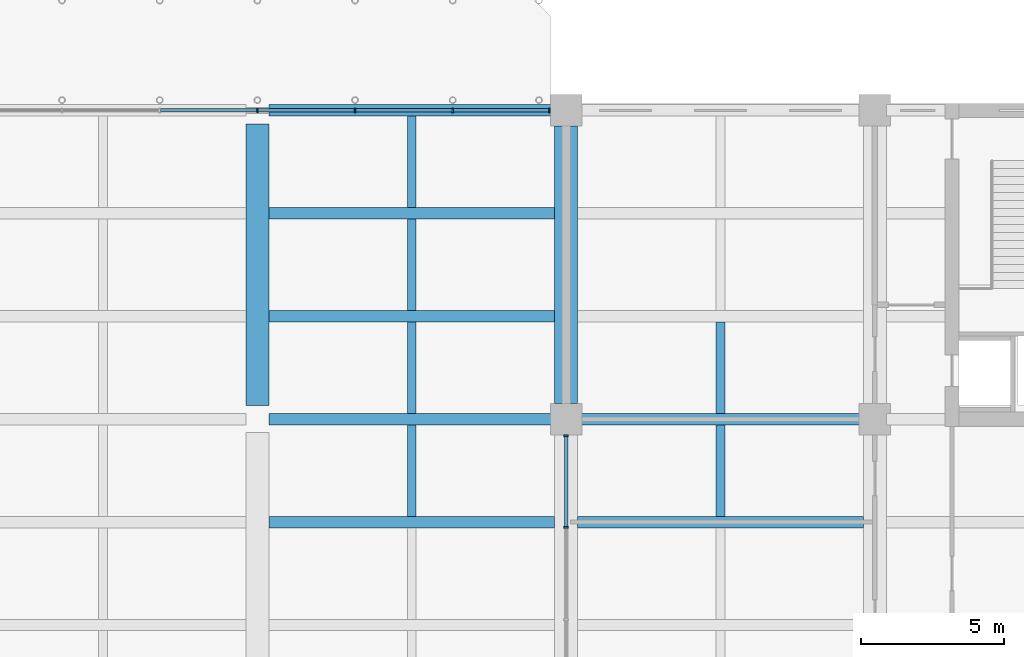
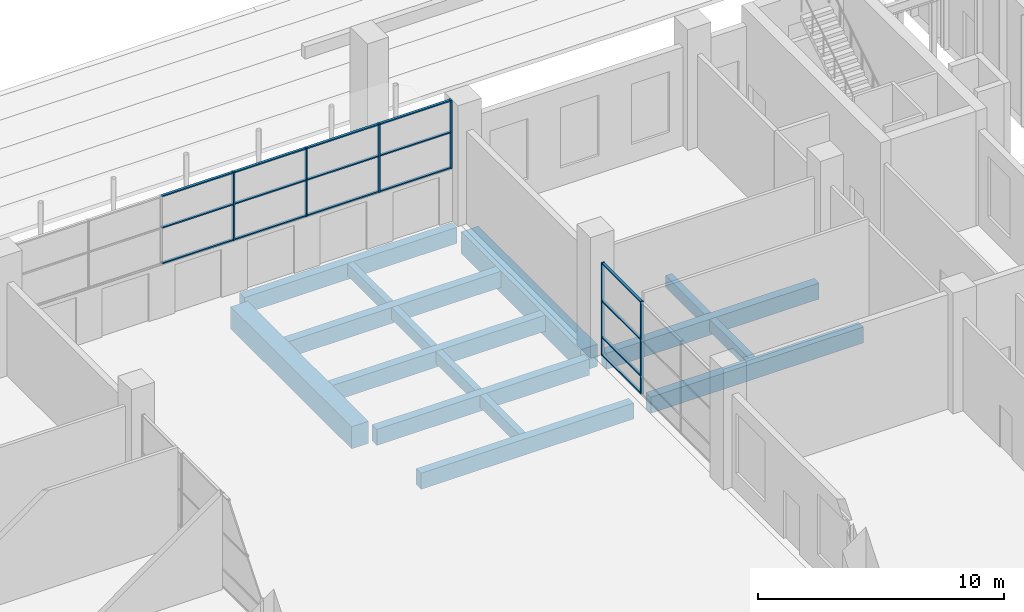
# One storey, part 36 of 71: 22 members, 15 beams, 2 elements without a shape of their own.
"""IFC4 building model written with IfcOpenShell, lengths in metres."""

from ifc_helpers import new_model, si_unit, direction, frame, origin, origin_2d, place, context, subcontext, project, spatial, rectangle, extrude, material, layer, layer_set, material_profile, profile_set, type_object, element, aggregate, save


model = new_model("IFC4")

# Units and contexts
model_context = context("Model", 3, precision=1e-05, world=origin(), true_north=direction((0.0, 1.0)))
body_context = subcontext(model_context, "Body", "Model", "MODEL_VIEW")
ifc_project = project(units=[si_unit("LENGTHUNIT", "METRE"), si_unit("AREAUNIT", "SQUARE_METRE"), si_unit("VOLUMEUNIT", "CUBIC_METRE"), si_unit("PLANEANGLEUNIT", "RADIAN"), si_unit("MASSUNIT", "GRAM", prefix="KILO")], contexts=[model_context])

# Site, building, storey
site_placement = place(None, origin())
site = spatial("IfcSite", under=ifc_project, at=site_placement, CompositionType="ELEMENT")
building_placement = place(site_placement, origin())
building = spatial("IfcBuilding", under=site, at=building_placement, Name="Basin Gate Institute", CompositionType="ELEMENT")
storey_placement = place(building_placement, origin())
storey = spatial("IfcBuildingStorey", under=building, at=storey_placement, Name="L00", CompositionType="ELEMENT", Elevation=0.0)

# Curtain wall, members
ifc_material_1 = material(Name="Aluminium and glass curtain wall", Category="aluminium")
ifc_layer_1 = layer(ifc_material_1, 0.14990234375)
ifc_layer_set_1 = layer_set([ifc_layer_1], Name="Atrium curtain wall CW81")
curtain_wall_type_1 = type_object("IfcCurtainWallType", Name="Atrium curtain wall CW81", PredefinedType="NOTDEFINED", material=ifc_layer_set_1)
curtain_wall_1_placement = place(storey_placement, origin())
curtain_wall_1 = element("IfcCurtainWall", 1, at=curtain_wall_1_placement, inside=storey, type_object=curtain_wall_type_1, material=ifc_layer_set_1, Name="Atrium end screen N L00", PredefinedType="NOTDEFINED")
ifc_material_2 = material(Name="Aluminium mullion", Category="aluminium")
ifc_material_profile_1 = material_profile(ifc_material_2, rectangle(XDim=0.159912109375, YDim=0.06005859375, at=origin_2d()), Name="Atrium mullion MU81 160 x 60")
ifc_profile_set_1 = profile_set([ifc_material_profile_1], Name="Aluminium mullion")
member_type_1 = type_object("IfcMemberType", Name="Atrium mullion MU81", PredefinedType="MULLION", material=ifc_profile_set_1)
member_1_placement = place(storey_placement, frame((90.0, 99.89990234375, 2.60009765625), z_axis=(0.0, 0.0, 1.0), x_axis=(0.0, 1.0, 0.0)))
member_1 = element("IfcMember", 2, at=member_1_placement, type_object=member_type_1, material=ifc_profile_set_1, Name="CW81 mullion 4", PredefinedType="MULLION", context=body_context, shape_type="SweptSolid", body=[
    extrude(rectangle(XDim=0.159912109375, YDim=0.06005859375, at=origin_2d()), origin(), (0.0, 0.0, 1.0), 3.39990234375),
])
member_2_placement = place(storey_placement, frame((93.416748046875, 99.89990234375, 2.60009765625), z_axis=(0.0, 0.0, 1.0), x_axis=(0.0, 1.0, 0.0)))
member_2 = element("IfcMember", 3, at=member_2_placement, type_object=member_type_1, material=ifc_profile_set_1, Name="CW81 mullion 5", PredefinedType="MULLION", context=body_context, shape_type="SweptSolid", body=[
    extrude(rectangle(XDim=0.159912109375, YDim=0.06005859375, at=origin_2d()), origin(), (0.0, 0.0, 1.0), 3.39990234375),
])
member_3_placement = place(storey_placement, frame((96.833251953125, 99.89990234375, 2.60009765625), z_axis=(0.0, 0.0, 1.0), x_axis=(0.0, 1.0, 0.0)))
member_3 = element("IfcMember", 4, at=member_3_placement, type_object=member_type_1, material=ifc_profile_set_1, Name="CW81 mullion 6", PredefinedType="MULLION", context=body_context, shape_type="SweptSolid", body=[
    extrude(rectangle(XDim=0.159912109375, YDim=0.06005859375, at=origin_2d()), origin(), (0.0, 0.0, 1.0), 3.39990234375),
])
member_4_placement = place(storey_placement, frame((100.219970703125, 99.89990234375, 2.60009765625), z_axis=(0.0, 0.0, 1.0), x_axis=(0.0, 1.0, 0.0)))
member_4 = element("IfcMember", 5, at=member_4_placement, type_object=member_type_1, material=ifc_profile_set_1, Name="CW81 mullion 7", PredefinedType="MULLION", context=body_context, shape_type="SweptSolid", body=[
    extrude(rectangle(XDim=0.159912109375, YDim=0.06005859375, at=origin_2d()), origin(), (0.0, 0.0, 1.0), 3.39990234375),
])
ifc_material_3 = material(Name="Aluminium transom", Category="aluminium")
ifc_material_profile_2 = material_profile(ifc_material_3, rectangle(XDim=0.1201171875, YDim=0.06005859375, at=origin_2d()), Name="Atrium transom TR81 120 x 60")
ifc_profile_set_2 = profile_set([ifc_material_profile_2], Name="Aluminium transom")
member_type_2 = type_object("IfcMemberType", Name="Atrium transom TR81", PredefinedType="USERDEFINED", material=ifc_profile_set_2)
member_5_placement = place(storey_placement, frame((86.61328125, 99.89990234375, 2.6298828125), z_axis=(1.0, 0.0, 0.0), x_axis=(0.0, 1.0, 0.0)))
member_5 = element("IfcMember", 6, at=member_5_placement, type_object=member_type_2, material=ifc_profile_set_2, Name="CW81 transom 3.1", ObjectType="TRANSOM", PredefinedType="USERDEFINED", context=body_context, shape_type="SweptSolid", body=[
    extrude(rectangle(XDim=0.1201171875, YDim=0.06005859375, at=origin_2d()), origin(), (0.0, 0.0, 1.0), 3.356689453125),
])
member_6_placement = place(storey_placement, frame((86.61328125, 99.89990234375, 4.39990234375), z_axis=(1.0, 0.0, 0.0), x_axis=(0.0, 1.0, 0.0)))
member_6 = element("IfcMember", 7, at=member_6_placement, type_object=member_type_2, material=ifc_profile_set_2, Name="CW81 transom 3.2", ObjectType="TRANSOM", PredefinedType="USERDEFINED", context=body_context, shape_type="SweptSolid", body=[
    extrude(rectangle(XDim=0.1201171875, YDim=0.06005859375, at=origin_2d()), origin(), (0.0, 0.0, 1.0), 3.356689453125),
])
member_7_placement = place(storey_placement, frame((86.61328125, 99.89990234375, 5.969970703125), z_axis=(1.0, 0.0, 0.0), x_axis=(0.0, 1.0, 0.0)))
member_7 = element("IfcMember", 8, at=member_7_placement, type_object=member_type_2, material=ifc_profile_set_2, Name="CW81 transom 3.3", ObjectType="TRANSOM", PredefinedType="USERDEFINED", context=body_context, shape_type="SweptSolid", body=[
    extrude(rectangle(XDim=0.1201171875, YDim=0.06005859375, at=origin_2d()), origin(), (0.0, 0.0, 1.0), 3.356689453125),
])
member_8_placement = place(storey_placement, frame((90.030029296875, 99.89990234375, 2.6298828125), z_axis=(1.0, 0.0, 0.0), x_axis=(0.0, 1.0, 0.0)))
member_8 = element("IfcMember", 9, at=member_8_placement, type_object=member_type_2, material=ifc_profile_set_2, Name="CW81 transom 4.1", ObjectType="TRANSOM", PredefinedType="USERDEFINED", context=body_context, shape_type="SweptSolid", body=[
    extrude(rectangle(XDim=0.1201171875, YDim=0.06005859375, at=origin_2d()), origin(), (0.0, 0.0, 1.0), 3.356689453125),
])
member_9_placement = place(storey_placement, frame((90.030029296875, 99.89990234375, 4.39990234375), z_axis=(1.0, 0.0, 0.0), x_axis=(0.0, 1.0, 0.0)))
member_9 = element("IfcMember", 10, at=member_9_placement, type_object=member_type_2, material=ifc_profile_set_2, Name="CW81 transom 4.2", ObjectType="TRANSOM", PredefinedType="USERDEFINED", context=body_context, shape_type="SweptSolid", body=[
    extrude(rectangle(XDim=0.1201171875, YDim=0.06005859375, at=origin_2d()), origin(), (0.0, 0.0, 1.0), 3.356689453125),
])
member_10_placement = place(storey_placement, frame((90.030029296875, 99.89990234375, 5.969970703125), z_axis=(1.0, 0.0, 0.0), x_axis=(0.0, 1.0, 0.0)))
member_10 = element("IfcMember", 11, at=member_10_placement, type_object=member_type_2, material=ifc_profile_set_2, Name="CW81 transom 4.3", ObjectType="TRANSOM", PredefinedType="USERDEFINED", context=body_context, shape_type="SweptSolid", body=[
    extrude(rectangle(XDim=0.1201171875, YDim=0.06005859375, at=origin_2d()), origin(), (0.0, 0.0, 1.0), 3.356689453125),
])
member_11_placement = place(storey_placement, frame((93.44677734375, 99.89990234375, 2.6298828125), z_axis=(1.0, 0.0, 0.0), x_axis=(0.0, 1.0, 0.0)))
member_11 = element("IfcMember", 12, at=member_11_placement, type_object=member_type_2, material=ifc_profile_set_2, Name="CW81 transom 5.1", ObjectType="TRANSOM", PredefinedType="USERDEFINED", context=body_context, shape_type="SweptSolid", body=[
    extrude(rectangle(XDim=0.1201171875, YDim=0.06005859375, at=origin_2d()), origin(), (0.0, 0.0, 1.0), 3.3564453125),
])
member_12_placement = place(storey_placement, frame((93.44677734375, 99.89990234375, 4.39990234375), z_axis=(1.0, 0.0, 0.0), x_axis=(0.0, 1.0, 0.0)))
member_12 = element("IfcMember", 13, at=member_12_placement, type_object=member_type_2, material=ifc_profile_set_2, Name="CW81 transom 5.2", ObjectType="TRANSOM", PredefinedType="USERDEFINED", context=body_context, shape_type="SweptSolid", body=[
    extrude(rectangle(XDim=0.1201171875, YDim=0.06005859375, at=origin_2d()), origin(), (0.0, 0.0, 1.0), 3.3564453125),
])
member_13_placement = place(storey_placement, frame((93.44677734375, 99.89990234375, 5.969970703125), z_axis=(1.0, 0.0, 0.0), x_axis=(0.0, 1.0, 0.0)))
member_13 = element("IfcMember", 14, at=member_13_placement, type_object=member_type_2, material=ifc_profile_set_2, Name="CW81 transom 5.3", ObjectType="TRANSOM", PredefinedType="USERDEFINED", context=body_context, shape_type="SweptSolid", body=[
    extrude(rectangle(XDim=0.1201171875, YDim=0.06005859375, at=origin_2d()), origin(), (0.0, 0.0, 1.0), 3.3564453125),
])
member_14_placement = place(storey_placement, frame((96.86328125, 99.89990234375, 2.6298828125), z_axis=(1.0, 0.0, 0.0), x_axis=(0.0, 1.0, 0.0)))
member_14 = element("IfcMember", 15, at=member_14_placement, type_object=member_type_2, material=ifc_profile_set_2, Name="CW81 transom 6.1", ObjectType="TRANSOM", PredefinedType="USERDEFINED", context=body_context, shape_type="SweptSolid", body=[
    extrude(rectangle(XDim=0.1201171875, YDim=0.06005859375, at=origin_2d()), origin(), (0.0, 0.0, 1.0), 3.32666015625),
])
member_15_placement = place(storey_placement, frame((96.86328125, 99.89990234375, 4.39990234375), z_axis=(1.0, 0.0, 0.0), x_axis=(0.0, 1.0, 0.0)))
member_15 = element("IfcMember", 16, at=member_15_placement, type_object=member_type_2, material=ifc_profile_set_2, Name="CW81 transom 6.2", ObjectType="TRANSOM", PredefinedType="USERDEFINED", context=body_context, shape_type="SweptSolid", body=[
    extrude(rectangle(XDim=0.1201171875, YDim=0.06005859375, at=origin_2d()), origin(), (0.0, 0.0, 1.0), 3.32666015625),
])
member_16_placement = place(storey_placement, frame((96.86328125, 99.89990234375, 5.969970703125), z_axis=(1.0, 0.0, 0.0), x_axis=(0.0, 1.0, 0.0)))
member_16 = element("IfcMember", 17, at=member_16_placement, type_object=member_type_2, material=ifc_profile_set_2, Name="CW81 transom 6.3", ObjectType="TRANSOM", PredefinedType="USERDEFINED", context=body_context, shape_type="SweptSolid", body=[
    extrude(rectangle(XDim=0.1201171875, YDim=0.06005859375, at=origin_2d()), origin(), (0.0, 0.0, 1.0), 3.32666015625),
])
aggregate(curtain_wall_1, [member_1, member_2, member_3, member_4, member_5, member_6, member_7, member_8, member_9, member_10, member_11, member_12, member_13, member_14, member_15, member_16])

# Beams
ifc_material_4 = material(Name="Concrete 40 MPa", Category="concrete")
ifc_material_profile_3 = material_profile(ifc_material_4, rectangle(XDim=0.39990234375, YDim=0.800048828125, at=origin_2d()), Name="Beam B2 400 x 800")
ifc_profile_set_3 = profile_set([ifc_material_profile_3], Name="Concrete 40 MPa")
beam_type_1 = type_object("IfcBeamType", Name="Beam B2 R180", PredefinedType="BEAM", material=ifc_profile_set_3)
for number, where, z_axis, x_axis, name in (
    (18, (111.199951171875, 85.5, -0.699951171875), (-1.0, 0.0, 0.0), (0.0, -1.0, 0.0), "BEAM/L00/E/EW/15"),
    (19, (111.199951171875, 89.10009765625, -0.699951171875), (-1.0, 0.0, 0.0), (0.0, -1.0, 0.0), "BEAM/L00/E/EW/16"),
    (20, (90.39990234375, 85.5, -0.699951171875), (1.0, 0.0, 0.0), (0.0, 1.0, 0.0), "BEAM/L00/CAN/E/15"),
    (21, (90.39990234375, 89.10009765625, -0.699951171875), (1.0, 0.0, 0.0), (0.0, 1.0, 0.0), "BEAM/L00/CAN/E/16"),
    (22, (90.39990234375, 92.699951171875, -0.699951171875), (1.0, 0.0, 0.0), (0.0, 1.0, 0.0), "BEAM/L00/CAN/E/17"),
    (23, (90.39990234375, 96.300048828125, -0.699951171875), (1.0, 0.0, 0.0), (0.0, 1.0, 0.0), "BEAM/L00/CAN/E/18"),
    (24, (90.39990234375, 99.89990234375, -0.699951171875), (1.0, 0.0, 0.0), (0.0, 1.0, 0.0), "BEAM/L00/CAN/E/19"),
):
    element("IfcBeam", number, at=place(storey_placement, frame(where, z_axis=z_axis, x_axis=x_axis)), inside=storey, type_object=beam_type_1, material=ifc_profile_set_3, Name=name, PredefinedType="BEAM", context=body_context, shape_type="SweptSolid", body=[
        extrude(rectangle(XDim=0.39990234375, YDim=0.800048828125, at=origin_2d()), origin(), (0.0, 0.0, 1.0), 10.0),
    ])
ifc_material_5 = material(Name="Concrete 50 MPa", Category="concrete")
ifc_material_profile_4 = material_profile(ifc_material_5, rectangle(XDim=0.800048828125, YDim=1.10009765625, at=origin_2d()), Name="Girder G2 800 x 1100")
ifc_profile_set_4 = profile_set([ifc_material_profile_4], Name="Concrete 50 MPa")
beam_type_2 = type_object("IfcBeamType", Name="Girder G2 R180", PredefinedType="BEAM", material=ifc_profile_set_4)
beam_1_placement = place(storey_placement, frame((100.800048828125, 89.64990234375, -0.85009765625), z_axis=(0.0, 1.0, 0.0), x_axis=(-1.0, 0.0, 0.0)))
element("IfcBeam", 25, at=beam_1_placement, inside=storey, type_object=beam_type_2, material=ifc_profile_set_4, Name="GIR/L00/E7/6", PredefinedType="BEAM", context=body_context, shape_type="SweptSolid", body=[
    extrude(rectangle(XDim=0.800048828125, YDim=1.10009765625, at=origin_2d()), origin(), (0.0, 0.0, 1.0), 9.7001953125),
])
beam_2_placement = place(storey_placement, frame((90.0, 89.574951171875, -0.85009765625), z_axis=(0.0, 1.0, 0.0), x_axis=(-1.0, 0.0, 0.0)))
element("IfcBeam", 26, at=beam_2_placement, inside=storey, type_object=beam_type_2, material=ifc_profile_set_4, Name="GIR/L00/C65/6", PredefinedType="BEAM", context=body_context, shape_type="SweptSolid", body=[
    extrude(rectangle(XDim=0.800048828125, YDim=1.10009765625, at=origin_2d()), origin(), (0.0, 0.0, 1.0), 9.85009765625),
])

# Curtain wall, members
ifc_material_6 = material(Name="Fire-resistant glazing in steel-free frame", Category="steel")
ifc_layer_2 = layer(ifc_material_6, 0.199951171875)
ifc_layer_set_2 = layer_set([ifc_layer_2], Name="Fire-resistant glazing in steel-free frame")
curtain_wall_type_2 = type_object("IfcCurtainWallType", Name="Atrium rated curtain wall CW3", PredefinedType="NOTDEFINED", material=ifc_layer_set_2)
curtain_wall_2_placement = place(storey_placement, origin())
curtain_wall_2 = element("IfcCurtainWall", 27, at=curtain_wall_2_placement, inside=storey, type_object=curtain_wall_type_2, material=ifc_layer_set_2, Name="Atrium rated curtain wall E wing atrium bay 5 L00", PredefinedType="NOTDEFINED")
ifc_material_7 = material(Name="Aluminium", Category="aluminium")
ifc_material_profile_5 = material_profile(ifc_material_7, rectangle(XDim=0.14990234375, YDim=0.06005859375, at=origin_2d()), Name="Mullion MU3 150 x 60")
ifc_profile_set_5 = profile_set([ifc_material_profile_5], Name="Aluminium")
member_type_3 = type_object("IfcMemberType", Name="Mullion MU3", PredefinedType="MULLION", material=ifc_profile_set_5)
member_17_placement = place(storey_placement, frame((100.800048828125, 85.316650390625, 0.0), z_axis=(0.0, 0.0, 1.0), x_axis=(-1.0, 0.0, 0.0)))
member_17 = element("IfcMember", 28, at=member_17_placement, type_object=member_type_3, material=ifc_profile_set_5, Name="CW3 mullion 3", PredefinedType="MULLION", context=body_context, shape_type="SweptSolid", body=[
    extrude(rectangle(XDim=0.14990234375, YDim=0.06005859375, at=origin_2d()), origin(), (0.0, 0.0, 1.0), 4.60009765625),
])
member_18_placement = place(storey_placement, frame((100.800048828125, 88.52001953125, 0.0), z_axis=(0.0, 0.0, 1.0), x_axis=(-1.0, 0.0, 0.0)))
member_18 = element("IfcMember", 29, at=member_18_placement, type_object=member_type_3, material=ifc_profile_set_5, Name="CW3 mullion 4", PredefinedType="MULLION", context=body_context, shape_type="SweptSolid", body=[
    extrude(rectangle(XDim=0.14990234375, YDim=0.06005859375, at=origin_2d()), origin(), (0.0, 0.0, 1.0), 4.60009765625),
])

# Beams
ifc_material_8 = material(Name="Concrete 40 MPa", Category="concrete")
ifc_material_profile_6 = material_profile(ifc_material_8, rectangle(XDim=0.300048828125, YDim=0.60009765625, at=origin_2d()), Name="Rib R2 300 x 600")
ifc_profile_set_6 = profile_set([ifc_material_profile_6], Name="Concrete 40 MPa")
beam_type_3 = type_object("IfcBeamType", Name="Rib R2 R180", PredefinedType="JOIST", material=ifc_profile_set_6)
for number, where, z_axis, x_axis, name in (
    (30, (106.199951171875, 85.699951171875, -0.60009765625), (0.0, 1.0, 0.0), (-1.0, 0.0, 0.0), "BEAM/L00/E/RIB/15"),
    (31, (106.199951171875, 89.300048828125, -0.60009765625), (0.0, 1.0, 0.0), (-1.0, 0.0, 0.0), "BEAM/L00/E/RIB/16"),
    (32, (95.39990234375, 85.699951171875, -0.60009765625), (0.0, 1.0, 0.0), (-1.0, 0.0, 0.0), "BEAM/L00/CAN/RIBE/15"),
    (33, (95.39990234375, 89.300048828125, -0.60009765625), (0.0, 1.0, 0.0), (-1.0, 0.0, 0.0), "BEAM/L00/CAN/RIBE/16"),
):
    element("IfcBeam", number, at=place(storey_placement, frame(where, z_axis=z_axis, x_axis=x_axis)), inside=storey, type_object=beam_type_3, material=ifc_profile_set_6, Name=name, PredefinedType="JOIST", context=body_context, shape_type="SweptSolid", body=[
        extrude(rectangle(XDim=0.300048828125, YDim=0.60009765625, at=origin_2d()), origin(), (0.0, 0.0, 1.0), 3.199951171875),
    ])
beam_3_placement = place(storey_placement, frame((95.39990234375, 92.89990234375, -0.60009765625), z_axis=(0.0, 1.0, 0.0), x_axis=(-1.0, 0.0, 0.0)))
element("IfcBeam", 34, at=beam_3_placement, inside=storey, type_object=beam_type_3, material=ifc_profile_set_6, Name="BEAM/L00/CAN/RIBE/17", PredefinedType="JOIST", context=body_context, shape_type="SweptSolid", body=[
    extrude(rectangle(XDim=0.300048828125, YDim=0.60009765625, at=origin_2d()), origin(), (0.0, 0.0, 1.0), 3.2001953125),
])
beam_4_placement = place(storey_placement, frame((95.39990234375, 96.5, -0.60009765625), z_axis=(0.0, 1.0, 0.0), x_axis=(-1.0, 0.0, 0.0)))
element("IfcBeam", 35, at=beam_4_placement, inside=storey, type_object=beam_type_3, material=ifc_profile_set_6, Name="BEAM/L00/CAN/RIBE/18", PredefinedType="JOIST", context=body_context, shape_type="SweptSolid", body=[
    extrude(rectangle(XDim=0.300048828125, YDim=0.60009765625, at=origin_2d()), origin(), (0.0, 0.0, 1.0), 3.199951171875),
])

# Member
ifc_material_9 = material(Name="Aluminium", Category="aluminium")
ifc_material_profile_7 = material_profile(ifc_material_9, rectangle(XDim=0.1201171875, YDim=0.06005859375, at=origin_2d()), Name="Transom TR3 120 x 60")
ifc_profile_set_7 = profile_set([ifc_material_profile_7], Name="Aluminium")
member_type_4 = type_object("IfcMemberType", Name="Transom TR3", PredefinedType="USERDEFINED", material=ifc_profile_set_7)
member_19_placement = place(storey_placement, frame((100.800048828125, 85.3466796875, 0.030029296875), z_axis=(0.0, 1.0, 0.0), x_axis=(-1.0, 0.0, 0.0)))
member_19 = element("IfcMember", 36, at=member_19_placement, type_object=member_type_4, material=ifc_profile_set_7, Name="CW3 transom 3.1", ObjectType="TRANSOM", PredefinedType="USERDEFINED", context=body_context, shape_type="SweptSolid", body=[
    extrude(rectangle(XDim=0.1201171875, YDim=0.06005859375, at=origin_2d()), origin(), (0.0, 0.0, 1.0), 3.143310546875),
])

member_20_placement = place(storey_placement, frame((100.800048828125, 85.3466796875, 0.89990234375), z_axis=(0.0, 1.0, 0.0), x_axis=(-1.0, 0.0, 0.0)))
member_20 = element("IfcMember", 37, at=member_20_placement, type_object=member_type_4, material=ifc_profile_set_7, Name="CW3 transom 3.2", ObjectType="TRANSOM", PredefinedType="USERDEFINED", context=body_context, shape_type="SweptSolid", body=[
    extrude(rectangle(XDim=0.1201171875, YDim=0.06005859375, at=origin_2d()), origin(), (0.0, 0.0, 1.0), 3.143310546875),
])

member_21_placement = place(storey_placement, frame((100.800048828125, 85.3466796875, 2.699951171875), z_axis=(0.0, 1.0, 0.0), x_axis=(-1.0, 0.0, 0.0)))
member_21 = element("IfcMember", 38, at=member_21_placement, type_object=member_type_4, material=ifc_profile_set_7, Name="CW3 transom 3.3", ObjectType="TRANSOM", PredefinedType="USERDEFINED", context=body_context, shape_type="SweptSolid", body=[
    extrude(rectangle(XDim=0.1201171875, YDim=0.06005859375, at=origin_2d()), origin(), (0.0, 0.0, 1.0), 3.143310546875),
])

member_22_placement = place(storey_placement, frame((100.800048828125, 85.3466796875, 4.570068359375), z_axis=(0.0, 1.0, 0.0), x_axis=(-1.0, 0.0, 0.0)))
member_22 = element("IfcMember", 39, at=member_22_placement, type_object=member_type_4, material=ifc_profile_set_7, Name="CW3 transom 3.4", ObjectType="TRANSOM", PredefinedType="USERDEFINED", context=body_context, shape_type="SweptSolid", body=[
    extrude(rectangle(XDim=0.1201171875, YDim=0.06005859375, at=origin_2d()), origin(), (0.0, 0.0, 1.0), 3.143310546875),
])

aggregate(curtain_wall_2, [member_17, member_18, member_19, member_20, member_21, member_22])

save(model, "model.ifc")
